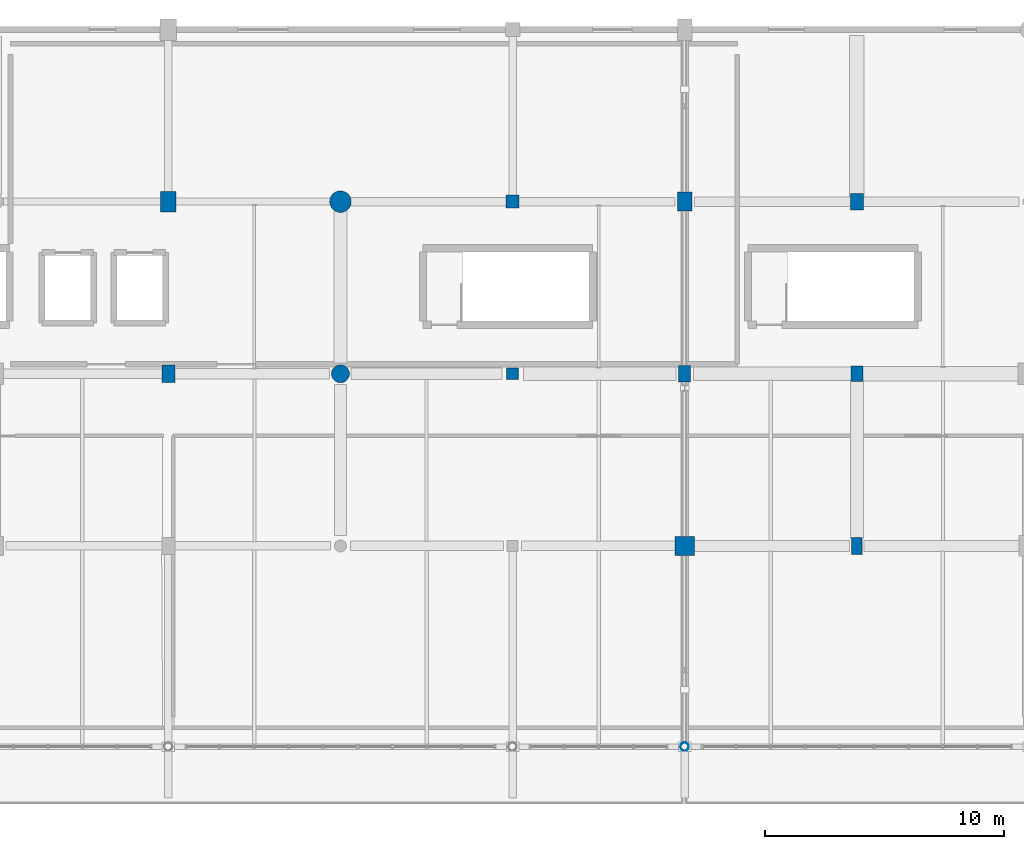
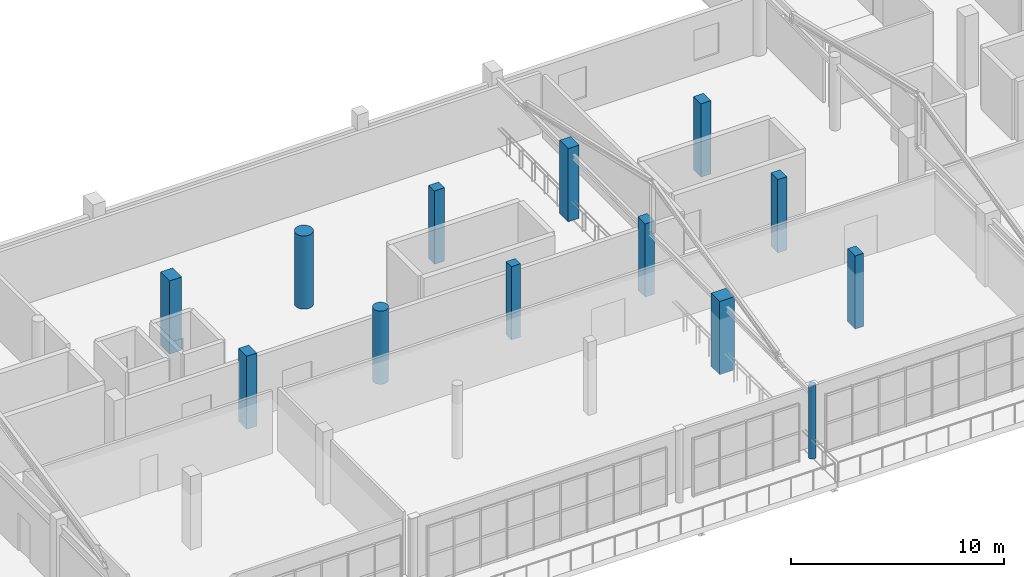
# One storey, part 2 of 41: 13 columns.
"""IFC4 building model written with IfcOpenShell, lengths in metres."""

import ifcopenshell
import ifcopenshell.guid

model = None  # the IFC model being written
_history = None  # IfcOwnerHistory: only IFC2X3 demands one
_inside = {}  # id of a spatial element -> (the spatial element, [elements in it])
_under = {}  # id of a project, library or spatial element -> (it, [spatial elements below it])
_declared = {}  # id of a project -> (the project, [libraries it declares])
_typed = {}  # id of a type object -> (the type object, [elements of that type])
_made_of = {}  # id of a material, layer set ... -> (it, [elements and type objects made of it])


def new_model(schema):
    """Start an empty IFC model of exactly this schema.

    Asked for "IFC4X3", IfcOpenShell would pick the latest addendum, in which some entities
    have other attributes; the version numbers below select the first issue.
    IFC2X3 requires an IfcOwnerHistory on every rooted entity: one is made here for all.
    """
    global model, _history
    if schema == "IFC4X3":
        model = ifcopenshell.file(schema_version=(4, 3, 0, 0))
    else:
        model = ifcopenshell.file(schema=schema)
    _inside.clear()
    _under.clear()
    _declared.clear()
    _typed.clear()
    _made_of.clear()
    _history = None
    if model.schema == "IFC2X3":
        org = make("IfcOrganization", Name="unknown")
        user = make(
            "IfcPersonAndOrganization",
            ThePerson=make("IfcPerson", FamilyName="unknown"),
            TheOrganization=org,
        )
        app = make(
            "IfcApplication",
            ApplicationDeveloper=org,
            Version="unknown",
            ApplicationFullName="unknown",
            ApplicationIdentifier="unknown",
        )
        _history = make(
            "IfcOwnerHistory",
            OwningUser=user,
            OwningApplication=app,
            ChangeAction="ADDED",
            CreationDate=0,
        )
    return model


def make(cls, **values):
    """One entity of the class cls with the attributes given. An attribute that is None is left unset."""
    return model.create_entity(
        cls, **{name: value for name, value in values.items() if value is not None}
    )


def rooted(cls, **values):
    """An entity with a GlobalId (a new one), such as an element, a storey or a relation."""
    return make(cls, GlobalId=ifcopenshell.guid.new(), OwnerHistory=_history, **values)


def si_unit(unit_type, name, prefix=None):
    """IfcSIUnit, for example si_unit("LENGTHUNIT", "METRE", prefix="MILLI")."""
    return make("IfcSIUnit", UnitType=unit_type, Prefix=prefix, Name=name)


def assignment(units):
    """IfcUnitAssignment: the units of a project."""
    return None if units is None else make("IfcUnitAssignment", Units=units)


def point(xyz):
    """IfcCartesianPoint."""
    return None if xyz is None else make("IfcCartesianPoint", Coordinates=xyz)


def direction(xyz):
    """IfcDirection."""
    return None if xyz is None else make("IfcDirection", DirectionRatios=xyz)


def frame(location, z_axis=None, x_axis=None):
    """IfcAxis2Placement3D, a coordinate frame: its origin and axes. An axis left out is left unset."""
    return make(
        "IfcAxis2Placement3D",
        Location=point(location),
        Axis=direction(z_axis),
        RefDirection=direction(x_axis),
    )


def frame_2d(location, x_axis=None):
    """IfcAxis2Placement2D, a coordinate frame in the plane: its origin and x axis."""
    return make(
        "IfcAxis2Placement2D", Location=point(location), RefDirection=direction(x_axis)
    )


def origin():
    """The frame at (0, 0, 0) with its axes left unset."""
    return frame((0.0, 0.0, 0.0))


def origin_2d():
    """The frame at (0, 0) in the plane with its x axis left unset."""
    return frame_2d((0.0, 0.0))


def place(relative_to, where):
    """IfcLocalPlacement: puts the frame where relative to a parent placement (None: the world)."""
    return make(
        "IfcLocalPlacement", PlacementRelTo=relative_to, RelativePlacement=where
    )


def context(
    kind, dimensions, precision=None, world=None, true_north=None, identifier=None
):
    """IfcGeometricRepresentationContext, for example the 3D "Model" context."""
    return make(
        "IfcGeometricRepresentationContext",
        ContextIdentifier=identifier,
        ContextType=kind,
        CoordinateSpaceDimension=dimensions,
        Precision=precision,
        WorldCoordinateSystem=world,
        TrueNorth=true_north,
    )


def subcontext(parent, identifier, kind, view, scale=None):
    """IfcGeometricRepresentationSubContext, for example "Body" below "Model"."""
    return make(
        "IfcGeometricRepresentationSubContext",
        ContextIdentifier=identifier,
        ContextType=kind,
        ParentContext=parent,
        TargetScale=scale,
        TargetView=view,
    )


def project(units=None, contexts=None):
    """IfcProject with its units and contexts."""
    return rooted(
        "IfcProject",
        Name="project",
        RepresentationContexts=contexts,
        UnitsInContext=assignment(units),
    )


def spatial(cls, under=None, at=None, **own):
    """A site, building, storey or space (cls), placed at a placement, below another one or the project."""
    s = rooted(cls, ObjectPlacement=at, **own)
    if under is not None:
        _under.setdefault(under.id(), (under, []))[1].append(s)
    return s


def profile(cls, at=None, kind="AREA", **sizes):
    """A parametric profile (cls). Its sizes go by their IFC names, for example OverallWidth=200.0."""
    return make(cls, ProfileType=kind, Position=at, **sizes)


def rectangle(**sizes):
    """IfcRectangleProfileDef."""
    return profile("IfcRectangleProfileDef", **sizes)


def circle(**sizes):
    """IfcCircleProfileDef."""
    return profile("IfcCircleProfileDef", **sizes)


def hollow_circle(**sizes):
    """IfcCircleHollowProfileDef."""
    return profile("IfcCircleHollowProfileDef", **sizes)


def extrude(swept, where, along, depth):
    """IfcExtrudedAreaSolid: the profile swept, set in the frame where, extruded along a direction by depth."""
    return make(
        "IfcExtrudedAreaSolid",
        SweptArea=swept,
        Position=where,
        ExtrudedDirection=direction(along),
        Depth=depth,
    )


def shape(context_of_items, identifier, shape_type, items):
    """IfcShapeRepresentation: the items that make up one representation, for example the "Body"."""
    return make(
        "IfcShapeRepresentation",
        ContextOfItems=context_of_items,
        RepresentationIdentifier=identifier,
        RepresentationType=shape_type,
        Items=items,
    )


def material(Name=None, Category=None):
    """IfcMaterial."""
    return make("IfcMaterial", Name=Name, Category=Category)


def material_profile(
    of_material, cross_section, Name=None, Category=None, Priority=None
):
    """IfcMaterialProfile: a cross section and its material."""
    return make(
        "IfcMaterialProfile",
        Name=Name,
        Material=of_material,
        Profile=cross_section,
        Priority=Priority,
        Category=Category,
    )


def profile_set(profiles, Name=None, composite=None):
    """IfcMaterialProfileSet."""
    return make(
        "IfcMaterialProfileSet",
        Name=Name,
        MaterialProfiles=profiles,
        CompositeProfile=composite,
    )


def made_of(thing, what):
    """Note that an element or type object is made of a material, layer set ...; save() writes the relation."""
    if what is not None:
        _made_of.setdefault(what.id(), (what, []))[1].append(thing)
    return thing


def type_object(cls, material=None, **own):
    """A type object (cls), such as IfcWallType, which elements share."""
    return made_of(rooted(cls, **own), material)


def element(
    cls,
    number,
    at=None,
    inside=None,
    cuts=None,
    type_object=None,
    material=None,
    context=None,
    identifier="Body",
    shape_type=None,
    held_by="IfcProductDefinitionShape",
    body=None,
    shapes=None,
    **own,
):
    """One element of the class cls, such as IfcWall. Its Tag is "e" and its number.

    at: its placement. inside: the storey or other place that contains it. cuts: it is an
    opening in that element (IfcRelVoidsElement). A single representation is given by context,
    identifier, shape_type and body (its items); several are given by shapes. held_by: the class
    of the entity that holds the representations. save() writes the other relations.
    """
    e = rooted(cls, Tag="e%d" % number, ObjectPlacement=at, **own)
    if body is not None:
        shapes = [shape(context, identifier, shape_type, body)]
    if shapes is not None:
        e.Representation = make(held_by, Representations=shapes)
    if inside is not None:
        _inside.setdefault(inside.id(), (inside, []))[1].append(e)
    if cuts is not None:
        rooted(
            "IfcRelVoidsElement", RelatingBuildingElement=cuts, RelatedOpeningElement=e
        )
    if type_object is not None:
        _typed.setdefault(type_object.id(), (type_object, []))[1].append(e)
    return made_of(e, material)


def aggregate(whole, parts):
    """IfcRelAggregates: a whole, such as a stair, and the parts it consists of."""
    return rooted("IfcRelAggregates", RelatingObject=whole, RelatedObjects=parts)


def save(model, path):
    """Write the relations noted so far, then the file.

    IfcRelAggregates (storeys below a building ...), IfcRelContainedInSpatialStructure (elements
    in a storey), IfcRelDefinesByType, IfcRelAssociatesMaterial and IfcRelDeclares: one each for
    every whole, place, type object, material and project.
    """
    for whole, parts in _under.values():
        aggregate(whole, parts)
    for where, things in _inside.values():
        rooted(
            "IfcRelContainedInSpatialStructure",
            RelatedElements=things,
            RelatingStructure=where,
        )
    for kind, things in _typed.values():
        rooted("IfcRelDefinesByType", RelatedObjects=things, RelatingType=kind)
    for what, things in _made_of.values():
        rooted("IfcRelAssociatesMaterial", RelatedObjects=things, RelatingMaterial=what)
    for by, libraries in _declared.values():
        rooted("IfcRelDeclares", RelatingContext=by, RelatedDefinitions=libraries)
    model.write(path)


model = new_model("IFC4")

# Units and contexts
model_context = context("Model", 3, precision=1e-05, world=origin(), true_north=direction((0.0, 1.0)))
body_context = subcontext(model_context, "Body", "Model", "MODEL_VIEW")
ifc_project = project(units=[si_unit("LENGTHUNIT", "METRE"), si_unit("AREAUNIT", "SQUARE_METRE"), si_unit("VOLUMEUNIT", "CUBIC_METRE"), si_unit("PLANEANGLEUNIT", "RADIAN"), si_unit("MASSUNIT", "GRAM", prefix="KILO")], contexts=[model_context])

# Site, building, storey
site_placement = place(None, origin())
site = spatial("IfcSite", under=ifc_project, at=site_placement, CompositionType="ELEMENT")
building_placement = place(site_placement, origin())
building = spatial("IfcBuilding", under=site, at=building_placement, Name="Solanera Park Tramway Depot", CompositionType="ELEMENT")
storey_placement = place(building_placement, frame((0.0, 0.0, 13.199951171875)))
storey = spatial("IfcBuildingStorey", under=building, at=storey_placement, Name="L03", CompositionType="ELEMENT", Elevation=13.199951171875)

# Columns
ifc_material_1 = material(Name="Concrete N40 (C40/50)", Category="concrete")
ifc_material_profile_1 = material_profile(ifc_material_1, rectangle(XDim=0.449951171875, YDim=0.699951171875, at=origin_2d()), Name="RC 450x700")
ifc_profile_set_1 = profile_set([ifc_material_profile_1], Name="Concrete N40 (C40/50)")
column_type_1 = type_object("IfcColumnType", Name="RC Column Ext RC 450x700", PredefinedType="COLUMN", material=ifc_profile_set_1)
column_1_placement = place(storey_placement, frame((158.39990234375, 10.800048828125, 0.0), z_axis=(0.0, 0.0, 1.0), x_axis=(1.0, 0.0, 0.0)))
element("IfcColumn", 1, at=column_1_placement, inside=storey, type_object=column_type_1, Name="L03 Column V4-X1584-Y108", PredefinedType="COLUMN", context=body_context, shape_type="SweptSolid", body=[
    extrude(rectangle(XDim=0.449951171875, YDim=0.699951171875, at=origin_2d()), origin(), (0.0, 0.0, 1.0), 4.199951171875),
])
ifc_material_2 = material(Name="Concrete N40 (C40/50)", Category="concrete")
ifc_material_profile_2 = material_profile(ifc_material_2, rectangle(XDim=0.800048828125, YDim=0.800048828125, at=origin_2d()), Name="RC 800x800")
ifc_profile_set_2 = profile_set([ifc_material_profile_2], Name="Concrete N40 (C40/50)")
column_type_2 = type_object("IfcColumnType", Name="RC Column Ext RC 800x800", PredefinedType="COLUMN", material=ifc_profile_set_2)
column_2_placement = place(storey_placement, frame((151.199951171875, 10.800048828125, 0.0), z_axis=(0.0, 0.0, 1.0), x_axis=(1.0, 0.0, 0.0)))
element("IfcColumn", 2, at=column_2_placement, inside=storey, type_object=column_type_2, Name="L03 Column V4-X1512-Y108", PredefinedType="COLUMN", context=body_context, shape_type="SweptSolid", body=[
    extrude(rectangle(XDim=0.800048828125, YDim=0.800048828125, at=origin_2d()), origin(), (0.0, 0.0, 1.0), 4.199951171875),
])
ifc_material_3 = material(Name="Concrete N40 (C40/50)", Category="concrete")
ifc_material_profile_3 = material_profile(ifc_material_3, rectangle(XDim=0.5, YDim=0.5, at=origin_2d()), Name="RC 500x500")
ifc_profile_set_3 = profile_set([ifc_material_profile_3], Name="Concrete N40 (C40/50)")
column_type_3 = type_object("IfcColumnType", Name="RC Column Int RC 500x500", PredefinedType="COLUMN", material=ifc_profile_set_3)
column_3_placement = place(storey_placement, frame((144.0, 18.0, 0.0), z_axis=(0.0, 0.0, 1.0), x_axis=(1.0, 0.0, 0.0)))
element("IfcColumn", 3, at=column_3_placement, inside=storey, type_object=column_type_3, Name="L03 Column V4-X1440-Y180", PredefinedType="COLUMN", context=body_context, shape_type="SweptSolid", body=[
    extrude(rectangle(XDim=0.5, YDim=0.5, at=origin_2d()), origin(), (0.0, 0.0, 1.0), 4.199951171875),
])
ifc_material_4 = material(Name="Concrete N40 (C40/50)", Category="concrete")
ifc_material_profile_4 = material_profile(ifc_material_4, rectangle(XDim=0.5, YDim=0.64990234375, at=origin_2d()), Name="RC 500x650")
ifc_profile_set_4 = profile_set([ifc_material_profile_4], Name="Concrete N40 (C40/50)")
column_type_4 = type_object("IfcColumnType", Name="RC Column Int RC 500x650", PredefinedType="COLUMN", material=ifc_profile_set_4)
column_4_placement = place(storey_placement, frame((158.39990234375, 18.0, 0.0), z_axis=(0.0, 0.0, 1.0), x_axis=(1.0, 0.0, 0.0)))
element("IfcColumn", 4, at=column_4_placement, inside=storey, type_object=column_type_4, Name="L03 Column V4-X1584-Y180", PredefinedType="COLUMN", context=body_context, shape_type="SweptSolid", body=[
    extrude(rectangle(XDim=0.5, YDim=0.64990234375, at=origin_2d()), origin(), (0.0, 0.0, 1.0), 4.199951171875),
])
ifc_material_5 = material(Name="Concrete N40 (C40/50)", Category="concrete")
ifc_material_profile_5 = material_profile(ifc_material_5, rectangle(XDim=0.5, YDim=0.699951171875, at=origin_2d()), Name="RC 500x700")
ifc_profile_set_5 = profile_set([ifc_material_profile_5], Name="Concrete N40 (C40/50)")
column_type_5 = type_object("IfcColumnType", Name="RC Column Int RC 500x700", PredefinedType="COLUMN", material=ifc_profile_set_5)
column_5_placement = place(storey_placement, frame((151.199951171875, 18.0, 0.0), z_axis=(0.0, 0.0, 1.0), x_axis=(1.0, 0.0, 0.0)))
element("IfcColumn", 5, at=column_5_placement, inside=storey, type_object=column_type_5, Name="L03 Column V4-X1512-Y180", PredefinedType="COLUMN", context=body_context, shape_type="SweptSolid", body=[
    extrude(rectangle(XDim=0.5, YDim=0.699951171875, at=origin_2d()), origin(), (0.0, 0.0, 1.0), 4.199951171875),
])
ifc_material_6 = material(Name="Concrete N40 (C40/50)", Category="concrete")
ifc_material_profile_6 = material_profile(ifc_material_6, rectangle(XDim=0.550048828125, YDim=0.550048828125, at=origin_2d()), Name="RC 550x550")
ifc_profile_set_6 = profile_set([ifc_material_profile_6], Name="Concrete N40 (C40/50)")
column_type_6 = type_object("IfcColumnType", Name="RC Column Int RC 550x550", PredefinedType="COLUMN", material=ifc_profile_set_6)
column_6_placement = place(storey_placement, frame((144.0, 25.199951171875, 0.0), z_axis=(0.0, 0.0, 1.0), x_axis=(1.0, 0.0, 0.0)))
element("IfcColumn", 6, at=column_6_placement, inside=storey, type_object=column_type_6, Name="L03 Column V4-X1440-Y252", PredefinedType="COLUMN", context=body_context, shape_type="SweptSolid", body=[
    extrude(rectangle(XDim=0.550048828125, YDim=0.550048828125, at=origin_2d()), origin(), (0.0, 0.0, 1.0), 4.199951171875),
])
ifc_material_7 = material(Name="Concrete N40 (C40/50)", Category="concrete")
ifc_material_profile_7 = material_profile(ifc_material_7, rectangle(XDim=0.550048828125, YDim=0.699951171875, at=origin_2d()), Name="RC 550x700")
ifc_profile_set_7 = profile_set([ifc_material_profile_7], Name="Concrete N40 (C40/50)")
column_type_7 = type_object("IfcColumnType", Name="RC Column Int RC 550x700", PredefinedType="COLUMN", material=ifc_profile_set_7)
column_7_placement = place(storey_placement, frame((158.39990234375, 25.199951171875, 0.0), z_axis=(0.0, 0.0, 1.0), x_axis=(1.0, 0.0, 0.0)))
element("IfcColumn", 7, at=column_7_placement, inside=storey, type_object=column_type_7, Name="L03 Column V4-X1584-Y252", PredefinedType="COLUMN", context=body_context, shape_type="SweptSolid", body=[
    extrude(rectangle(XDim=0.550048828125, YDim=0.699951171875, at=origin_2d()), origin(), (0.0, 0.0, 1.0), 4.199951171875),
])
ifc_material_8 = material(Name="Concrete N40 (C40/50)", Category="concrete")
ifc_material_profile_8 = material_profile(ifc_material_8, rectangle(XDim=0.550048828125, YDim=0.75, at=origin_2d()), Name="RC 550x750")
ifc_profile_set_8 = profile_set([ifc_material_profile_8], Name="Concrete N40 (C40/50)")
column_type_8 = type_object("IfcColumnType", Name="RC Column Int RC 550x750", PredefinedType="COLUMN", material=ifc_profile_set_8)
column_8_placement = place(storey_placement, frame((129.60009765625, 18.0, 0.0), z_axis=(0.0, 0.0, 1.0), x_axis=(1.0, 0.0, 0.0)))
element("IfcColumn", 8, at=column_8_placement, inside=storey, type_object=column_type_8, Name="L03 Column V4-X1296-Y180", PredefinedType="COLUMN", context=body_context, shape_type="SweptSolid", body=[
    extrude(rectangle(XDim=0.550048828125, YDim=0.75, at=origin_2d()), origin(), (0.0, 0.0, 1.0), 4.199951171875),
])
ifc_material_9 = material(Name="Concrete N40 (C40/50)", Category="concrete")
ifc_material_profile_9 = material_profile(ifc_material_9, rectangle(XDim=0.60009765625, YDim=0.800048828125, at=origin_2d()), Name="RC 600x800")
ifc_profile_set_9 = profile_set([ifc_material_profile_9], Name="Concrete N40 (C40/50)")
column_type_9 = type_object("IfcColumnType", Name="RC Column Int RC 600x800", PredefinedType="COLUMN", material=ifc_profile_set_9)
column_9_placement = place(storey_placement, frame((151.199951171875, 25.199951171875, 0.0), z_axis=(0.0, 0.0, 1.0), x_axis=(1.0, 0.0, 0.0)))
element("IfcColumn", 9, at=column_9_placement, inside=storey, type_object=column_type_9, Name="L03 Column V4-X1512-Y252", PredefinedType="COLUMN", context=body_context, shape_type="SweptSolid", body=[
    extrude(rectangle(XDim=0.60009765625, YDim=0.800048828125, at=origin_2d()), origin(), (0.0, 0.0, 1.0), 4.199951171875),
])
ifc_material_10 = material(Name="Concrete N40 (C40/50)", Category="concrete")
ifc_material_profile_10 = material_profile(ifc_material_10, rectangle(XDim=0.64990234375, YDim=0.85009765625, at=origin_2d()), Name="RC 650x850")
ifc_profile_set_10 = profile_set([ifc_material_profile_10], Name="Concrete N40 (C40/50)")
column_type_10 = type_object("IfcColumnType", Name="RC Column Int RC 650x850", PredefinedType="COLUMN", material=ifc_profile_set_10)
column_10_placement = place(storey_placement, frame((129.60009765625, 25.199951171875, 0.0), z_axis=(0.0, 0.0, 1.0), x_axis=(1.0, 0.0, 0.0)))
element("IfcColumn", 10, at=column_10_placement, inside=storey, type_object=column_type_10, Name="L03 Column V4-X1296-Y252", PredefinedType="COLUMN", context=body_context, shape_type="SweptSolid", body=[
    extrude(rectangle(XDim=0.64990234375, YDim=0.85009765625, at=origin_2d()), origin(), (0.0, 0.0, 1.0), 4.199951171875),
])
ifc_material_11 = material(Name="Concrete N40 (C40/50)", Category="concrete")
ifc_material_profile_11 = material_profile(ifc_material_11, circle(Radius=0.375, at=origin_2d()), Name="RC D750")
ifc_profile_set_11 = profile_set([ifc_material_profile_11], Name="Concrete N40 (C40/50)")
column_type_11 = type_object("IfcColumnType", Name="RC Column Int RC D750", PredefinedType="COLUMN", material=ifc_profile_set_11)
column_11_placement = place(storey_placement, frame((136.800048828125, 18.0, 0.0), z_axis=(0.0, 0.0, 1.0), x_axis=(1.0, 0.0, 0.0)))
element("IfcColumn", 11, at=column_11_placement, inside=storey, type_object=column_type_11, Name="L03 Column V4-X1368-Y180", PredefinedType="COLUMN", context=body_context, shape_type="SweptSolid", body=[
    extrude(circle(Radius=0.375, at=origin_2d()), origin(), (0.0, 0.0, 1.0), 4.199951171875),
])
ifc_material_12 = material(Name="Concrete N40 (C40/50)", Category="concrete")
ifc_material_profile_12 = material_profile(ifc_material_12, circle(Radius=0.449951171875, at=origin_2d()), Name="RC D900")
ifc_profile_set_12 = profile_set([ifc_material_profile_12], Name="Concrete N40 (C40/50)")
column_type_12 = type_object("IfcColumnType", Name="RC Column Int RC D900", PredefinedType="COLUMN", material=ifc_profile_set_12)
column_12_placement = place(storey_placement, frame((136.800048828125, 25.199951171875, 0.0), z_axis=(0.0, 0.0, 1.0), x_axis=(1.0, 0.0, 0.0)))
element("IfcColumn", 12, at=column_12_placement, inside=storey, type_object=column_type_12, Name="L03 Column V4-X1368-Y252", PredefinedType="COLUMN", context=body_context, shape_type="SweptSolid", body=[
    extrude(circle(Radius=0.449951171875, at=origin_2d()), origin(), (0.0, 0.0, 1.0), 4.199951171875),
])
ifc_material_13 = material(Name="Steel AS/NZS 1163 Grade C350L0", Category="steel")
ifc_material_profile_13 = material_profile(ifc_material_13, hollow_circle(Radius=0.177734375, WallThickness=0.0126953125, at=origin_2d()), Name="355.6x12.7 CHS")
ifc_profile_set_13 = profile_set([ifc_material_profile_13], Name="Steel AS/NZS 1163 Grade C350L0")
column_type_13 = type_object("IfcColumnType", Name="Steel Column Int 355.6x12.7 CHS", PredefinedType="COLUMN", material=ifc_profile_set_13)
column_13_placement = place(storey_placement, frame((151.199951171875, 2.39990234375, 0.0), z_axis=(0.0, 0.0, 1.0), x_axis=(1.0, 0.0, 0.0)))
element("IfcColumn", 13, at=column_13_placement, inside=storey, type_object=column_type_13, Name="L03 Overhang Transfer Column 04", PredefinedType="COLUMN", context=body_context, shape_type="SweptSolid", body=[
    extrude(hollow_circle(Radius=0.177734375, WallThickness=0.0126953125, at=origin_2d()), origin(), (0.0, 0.0, 1.0), 4.199951171875),
])

save(model, "model.ifc")
